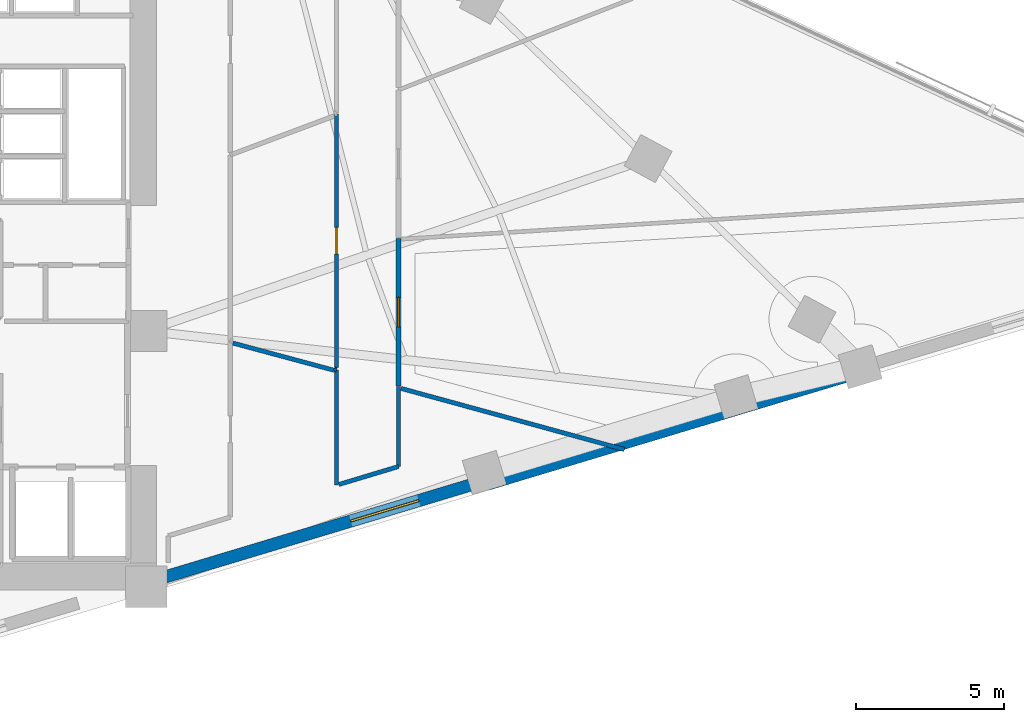
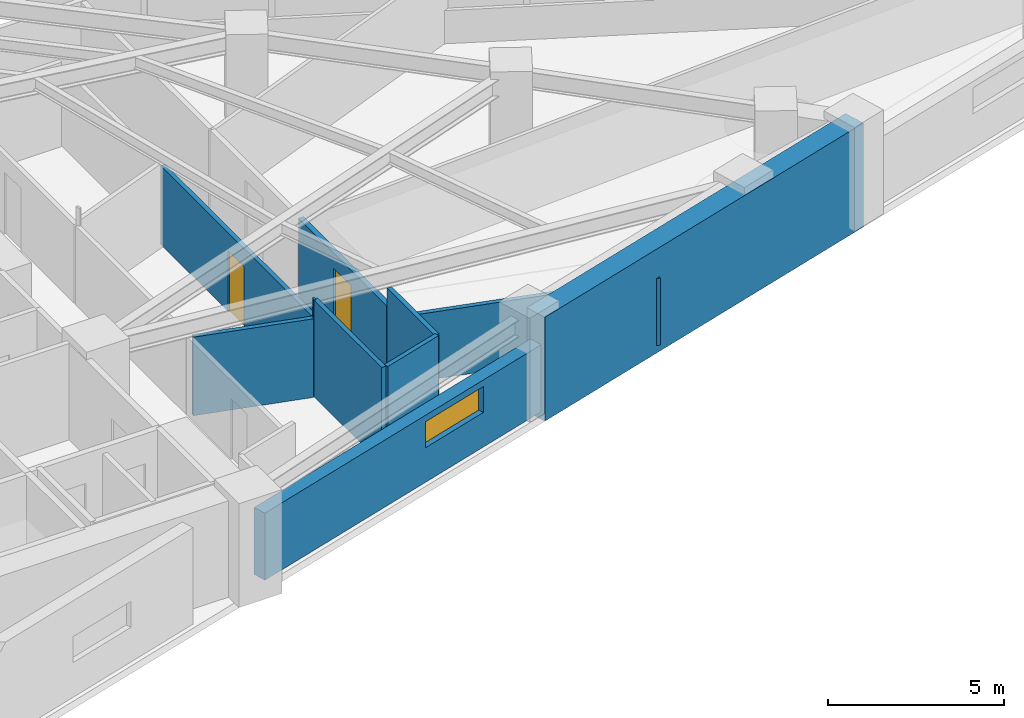
# One storey, part 13 of 17: 10 walls, 2 doors, 1 window, 3 openings.
"""IFC4 building model written with IfcOpenShell, lengths in metres."""

from ifc_helpers import new_model, si_unit, direction, frame, frame_2d, origin, place, context, subcontext, project, spatial, rectangle, extrude, material, layer, layer_set, type_object, element, fill, save


model = new_model("IFC4")

# Units and contexts
model_context = context("Model", 3, precision=1e-05, world=origin(), true_north=direction((0.0, 1.0)))
body_context = subcontext(model_context, "Body", "Model", "MODEL_VIEW")
ifc_project = project(units=[si_unit("LENGTHUNIT", "METRE"), si_unit("AREAUNIT", "SQUARE_METRE"), si_unit("VOLUMEUNIT", "CUBIC_METRE"), si_unit("PLANEANGLEUNIT", "RADIAN"), si_unit("MASSUNIT", "GRAM", prefix="KILO")], contexts=[model_context])

# Site, building, storey
site_placement = place(None, origin())
site = spatial("IfcSite", under=ifc_project, at=site_placement, CompositionType="ELEMENT")
building_placement = place(site_placement, origin())
building = spatial("IfcBuilding", under=site, at=building_placement, Name="Narakoshi Arena Tower", CompositionType="ELEMENT")
storey_placement = place(building_placement, frame((0.0, 0.0, 139.5)))
storey = spatial("IfcBuildingStorey", under=building, at=storey_placement, Name="L37", CompositionType="ELEMENT", Elevation=139.5)

# Wall, opening, door
ifc_material_1 = material(Name="Gypsum plasterboard fire-rated partition")
ifc_layer_1 = layer(ifc_material_1, 0.1650390625)
ifc_layer_set_1 = layer_set([ifc_layer_1], Name="Gypsum plasterboard fire-rated partition")
wall_type_1 = type_object("IfcWallType", Name="WL-CORR-165", PredefinedType="PARTITIONING", material=ifc_layer_set_1)
wall_1_placement = place(storey_placement, frame((94.0849609375, 41.494384765625, 0.0), z_axis=(0.0, 0.0, 1.0), x_axis=(0.0, 1.0, 0.0)))
wall_1 = element("IfcWall", 1, at=wall_1_placement, inside=storey, type_object=wall_type_1, Name="L37 Corridor Partition 03-1", PredefinedType="PARTITIONING", context=body_context, shape_type="SweptSolid", body=[
    extrude(rectangle(XDim=4.990966796875, YDim=0.1650390625, at=frame_2d((2.49560546875, 0.0))), origin(), (0.0, 0.0, 1.0), 2.72509765625),
])
opening_1_placement = place(wall_1_placement, frame((1.99560546875, 0.0, 0.0)))
opening_1 = element("IfcOpeningElement", 2, at=opening_1_placement, cuts=wall_1, Name="Opening D-06", PredefinedType="OPENING", context=body_context, shape_type="SweptSolid", body=[
    extrude(rectangle(XDim=1.0, YDim=2.199951171875, at=frame_2d((0.5, 1.10009765625))), frame((0.0, 0.092529296875, 0.0), z_axis=(0.0, -1.0, 0.0), x_axis=(1.0, 0.0, 0.0)), (0.0, 0.0, 1.0), 0.18505859375),
])
ifc_material_2 = material(Name="Stained oak solid-core timber", Category="wood")
door_type_1 = type_object("IfcDoorType", Name="DR-OFF-1000", OperationType="NOTDEFINED", PredefinedType="DOOR", material=ifc_material_2)
door_1_placement = place(opening_1_placement, frame((1.0, 0.0, 0.0), z_axis=(0.0, 0.0, 1.0), x_axis=(-1.0, 0.0, 0.0)))
door_1 = element("IfcDoor", 3, at=door_1_placement, inside=storey, type_object=door_type_1, Name="DR-L37-016", OperationType="SINGLE_SWING_LEFT", OverallHeight=2.199951171875, OverallWidth=1.0, PredefinedType="DOOR", context=body_context, shape_type="SweptSolid", body=[
    extrude(rectangle(XDim=1.0, YDim=2.199951171875, at=frame_2d((0.5, 1.10009765625))), frame((0.0, 0.02490234375, 0.0), z_axis=(0.0, -1.0, 0.0), x_axis=(1.0, 0.0, 0.0)), (0.0, 0.0, 1.0), 0.050048828125),
])
fill(opening_1, door_1)

# Wall
ifc_material_3 = material(Name="Concrete C60/75", Category="concrete")
ifc_layer_2 = layer(ifc_material_3, 0.699951171875)
ifc_layer_set_2 = layer_set([ifc_layer_2], Name="Concrete C60/75")
wall_type_2 = type_object("IfcWallType", Name="WL-LEG-700", PredefinedType="SHEAR", material=ifc_layer_set_2)
wall_2_placement = place(storey_placement, frame((97.062255859375, 38.306640625, -0.260009765625), z_axis=(0.0, 0.0, 1.0), x_axis=(0.957569832102, 0.288201347408, 0.0)))
element("IfcWall", 4, at=wall_2_placement, inside=storey, type_object=wall_type_2, Name="L37 Architectural Concrete Structural Wall LEGA-3", PredefinedType="SHEAR", context=body_context, shape_type="SweptSolid", body=[
    extrude(rectangle(XDim=13.198974609375, YDim=0.699951171875, at=frame_2d((6.599609375, 0.0))), origin(), (0.0, 0.0, 1.0), 3.60009765625),
])

# Wall, opening, window
ifc_material_4 = material(Name="Precast concrete C45/55", Category="concrete")
ifc_layer_3 = layer(ifc_material_4, 0.419921875)
ifc_layer_set_3 = layer_set([ifc_layer_3], Name="Precast concrete C45/55")
wall_type_3 = type_object("IfcWallType", Name="WL-POD-420", PredefinedType="SOLIDWALL", material=ifc_layer_set_3)
wall_3_placement = place(storey_placement, frame((86.10009765625, 35.00732421875, 0.0), z_axis=(0.0, 0.0, 1.0), x_axis=(0.957569401796, 0.288202777129, 0.0)))
wall_3 = element("IfcWall", 5, at=wall_3_placement, inside=storey, type_object=wall_type_3, Name="L37 Architectural Concrete Facade Wall LEGA-2", PredefinedType="SOLIDWALL", context=body_context, shape_type="SweptSolid", body=[
    extrude(rectangle(XDim=11.447998046875, YDim=0.419921875, at=frame_2d((5.72412109375, 0.0))), origin(), (0.0, 0.0, 1.0), 2.324951171875),
])
opening_2_placement = place(wall_3_placement, frame((6.652099609375, 0.0, 1.199951171875)))
opening_2 = element("IfcOpeningElement", 6, at=opening_2_placement, cuts=wall_3, Name="Opening WN-01", PredefinedType="OPENING", context=body_context, shape_type="SweptSolid", body=[
    extrude(rectangle(XDim=2.39990234375, YDim=0.89990234375, at=frame_2d((1.199951171875, 0.449951171875))), frame((0.0, 0.219970703125, 0.0), z_axis=(0.0, -1.0, 0.0), x_axis=(1.0, 0.0, 0.0)), (0.0, 0.0, 1.0), 0.43994140625),
])
ifc_material_5 = material(Name="Bronze-tinted low-E laminated glass", Category="glass")
window_type = type_object("IfcWindowType", Name="WIN-SLT-24x09", PartitioningType="SINGLE_PANEL", PredefinedType="WINDOW", material=ifc_material_5)
window_placement = place(opening_2_placement, origin())
window = element("IfcWindow", 7, at=window_placement, inside=storey, type_object=window_type, Name="L37 LEGA2 Horizontal Slot Window 1", OverallHeight=0.89990234375, OverallWidth=2.39990234375, PartitioningType="SINGLE_PANEL", PredefinedType="WINDOW", context=body_context, shape_type="SweptSolid", body=[
    extrude(rectangle(XDim=2.39990234375, YDim=0.89990234375, at=frame_2d((1.199951171875, 0.449951171875))), frame((0.0, 0.030029296875, 0.0), z_axis=(0.0, -1.0, 0.0), x_axis=(1.0, 0.0, 0.0)), (0.0, 0.0, 1.0), 0.06005859375),
])
fill(opening_2, window)

# Walls
ifc_material_6 = material(Name="Moisture-resistant cement-board partition")
ifc_layer_4 = layer(ifc_material_6, 0.14501953125)
ifc_layer_set_4 = layer_set([ifc_layer_4], Name="Moisture-resistant cement-board partition")
wall_type_4 = type_object("IfcWallType", Name="WL-WET-145", PredefinedType="PARTITIONING", material=ifc_layer_set_4)
wall_4_placement = place(storey_placement, frame((91.985107421875, 42.035400390625, 0.0), z_axis=(0.0, 0.0, 1.0), x_axis=(0.0, -1.0, 0.0)))
element("IfcWall", 8, at=wall_4_placement, inside=storey, type_object=wall_type_4, Name="L37 Corridor Partition 02-2", PredefinedType="PARTITIONING", context=body_context, shape_type="SweptSolid", body=[
    extrude(rectangle(XDim=3.8994140625, YDim=0.14501953125, at=frame_2d((1.94970703125, 0.0))), origin(), (0.0, 0.0, 1.0), 3.340087890625),
])
wall_5_placement = place(storey_placement, frame((94.0849609375, 38.76806640625, 0.0), z_axis=(0.0, 0.0, 1.0), x_axis=(0.0, 1.0, 0.0)))
element("IfcWall", 9, at=wall_5_placement, inside=storey, type_object=wall_type_4, Name="L37 Corridor Partition 02-3", PredefinedType="PARTITIONING", context=body_context, shape_type="SweptSolid", body=[
    extrude(rectangle(XDim=2.701416015625, YDim=0.14501953125, at=frame_2d((1.3505859375, 0.0))), origin(), (0.0, 0.0, 1.0), 3.340087890625),
])
wall_6_placement = place(storey_placement, frame((92.069580078125, 38.16162109375, 0.0), z_axis=(0.0, 0.0, 1.0), x_axis=(0.957586501491, 0.288145956354, 0.0)))
element("IfcWall", 10, at=wall_6_placement, inside=storey, type_object=wall_type_4, Name="L37 Corridor Partition 02-5", PredefinedType="PARTITIONING", context=body_context, shape_type="SweptSolid", body=[
    extrude(rectangle(XDim=2.104736328125, YDim=0.14501953125, at=frame_2d((1.05224609375, 0.0))), origin(), (0.0, 0.0, 1.0), 3.340087890625),
])
wall_7_placement = place(storey_placement, frame((91.925048828125, 42.051513671875, 0.0), z_axis=(0.0, 0.0, 1.0), x_axis=(0.965842837235, -0.259128566087, 0.0)))
element("IfcWall", 11, at=wall_7_placement, inside=storey, type_object=wall_type_4, Name="L37 Corridor Partition 02-6", PredefinedType="PARTITIONING", context=body_context, shape_type="SweptSolid", body=[
    extrude(rectangle(XDim=0.062255859375, YDim=0.14501953125, at=frame_2d((0.03125, 0.0))), origin(), (0.0, 0.0, 1.0), 3.340087890625),
])
wall_8_placement = place(storey_placement, frame((94.16943359375, 41.4091796875, 0.0), z_axis=(0.0, 0.0, 1.0), x_axis=(0.964509993059, -0.264046346859, 0.0)))
element("IfcWall", 12, at=wall_8_placement, inside=storey, type_object=wall_type_4, Name="L37 Inter-Room Partition 02-03", PredefinedType="PARTITIONING", context=body_context, shape_type="SweptSolid", body=[
    extrude(rectangle(XDim=7.826904296875, YDim=0.14501953125, at=frame_2d((3.91357421875, 0.0))), origin(), (0.0, 0.0, 1.0), 2.324951171875),
])
wall_9_placement = place(storey_placement, frame((88.484619140625, 42.941162109375, 0.0), z_axis=(0.0, 0.0, 1.0), x_axis=(0.96571631857, -0.259599676516, 0.0)))
element("IfcWall", 13, at=wall_9_placement, inside=storey, type_object=wall_type_4, Name="L37 Inter-Room Partition 02-05", PredefinedType="PARTITIONING", context=body_context, shape_type="SweptSolid", body=[
    extrude(rectangle(XDim=3.537109375, YDim=0.14501953125, at=frame_2d((1.7685546875, 0.0))), origin(), (0.0, 0.0, 1.0), 2.72509765625),
])

# Wall, opening, door
wall_10_placement = place(storey_placement, frame((91.985107421875, 50.68798828125, 0.0), z_axis=(0.0, 0.0, 1.0), x_axis=(0.0, -1.0, 0.0)))
wall_10 = element("IfcWall", 14, at=wall_10_placement, inside=storey, type_object=wall_type_4, Name="L37 Corridor Partition 05-1", PredefinedType="PARTITIONING", context=body_context, shape_type="SweptSolid", body=[
    extrude(rectangle(XDim=8.565185546875, YDim=0.14501953125, at=frame_2d((4.28271484375, 0.0))), origin(), (0.0, 0.0, 1.0), 2.72509765625),
])
opening_3_placement = place(wall_10_placement, frame((3.83251953125, 0.0, 0.0)))
opening_3 = element("IfcOpeningElement", 15, at=opening_3_placement, cuts=wall_10, Name="Opening D-08", PredefinedType="OPENING", context=body_context, shape_type="SweptSolid", body=[
    extrude(rectangle(XDim=0.89990234375, YDim=2.10009765625, at=frame_2d((0.449951171875, 1.050048828125))), frame((0.0, 0.08251953125, 0.0), z_axis=(0.0, -1.0, 0.0), x_axis=(1.0, 0.0, 0.0)), (0.0, 0.0, 1.0), 0.1650390625),
])
ifc_material_7 = material(Name="Moisture-resistant laminate timber", Category="wood")
door_type_2 = type_object("IfcDoorType", Name="DR-WC-900", OperationType="NOTDEFINED", PredefinedType="DOOR", material=ifc_material_7)
door_2_placement = place(opening_3_placement, frame((0.89990234375, 0.0, 0.0), z_axis=(0.0, 0.0, 1.0), x_axis=(-1.0, 0.0, 0.0)))
door_2 = element("IfcDoor", 16, at=door_2_placement, inside=storey, type_object=door_type_2, Name="DR-L37-018", OperationType="SINGLE_SWING_RIGHT", OverallHeight=2.10009765625, OverallWidth=0.89990234375, PredefinedType="DOOR", context=body_context, shape_type="SweptSolid", body=[
    extrude(rectangle(XDim=0.89990234375, YDim=2.10009765625, at=frame_2d((0.449951171875, 1.050048828125))), frame((0.0, 0.02490234375, 0.0), z_axis=(0.0, -1.0, 0.0), x_axis=(1.0, 0.0, 0.0)), (0.0, 0.0, 1.0), 0.050048828125),
])
fill(opening_3, door_2)

save(model, "model.ifc")
